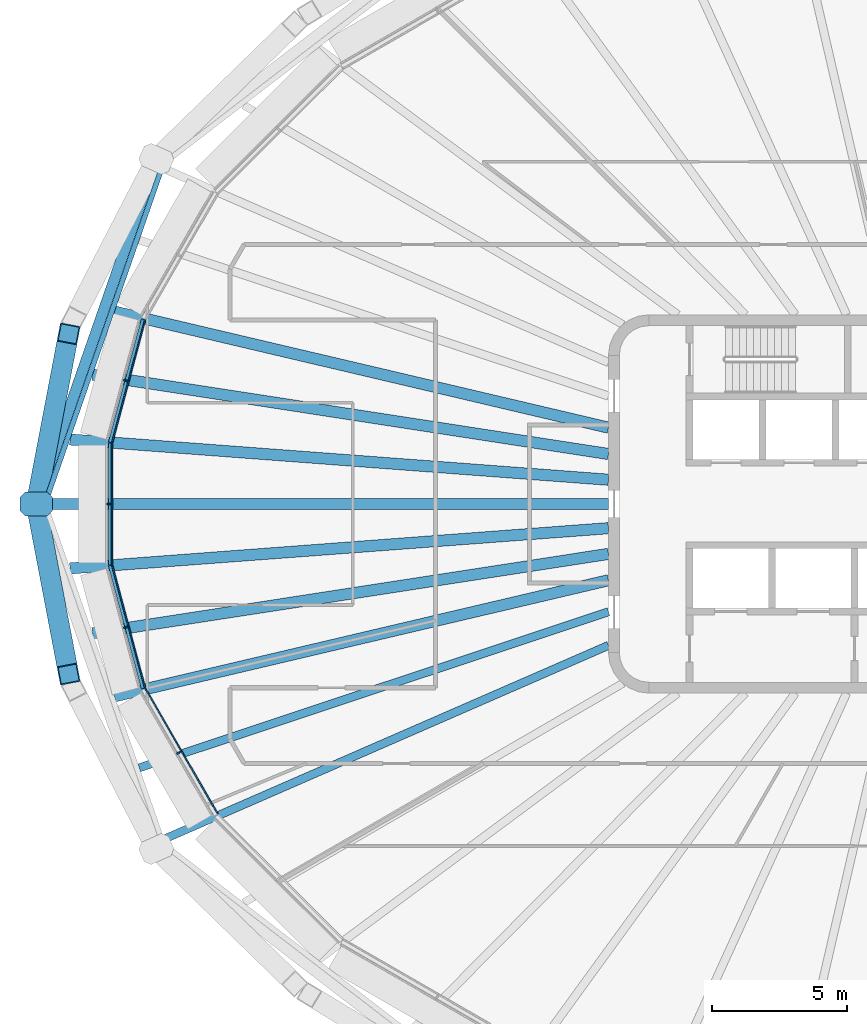
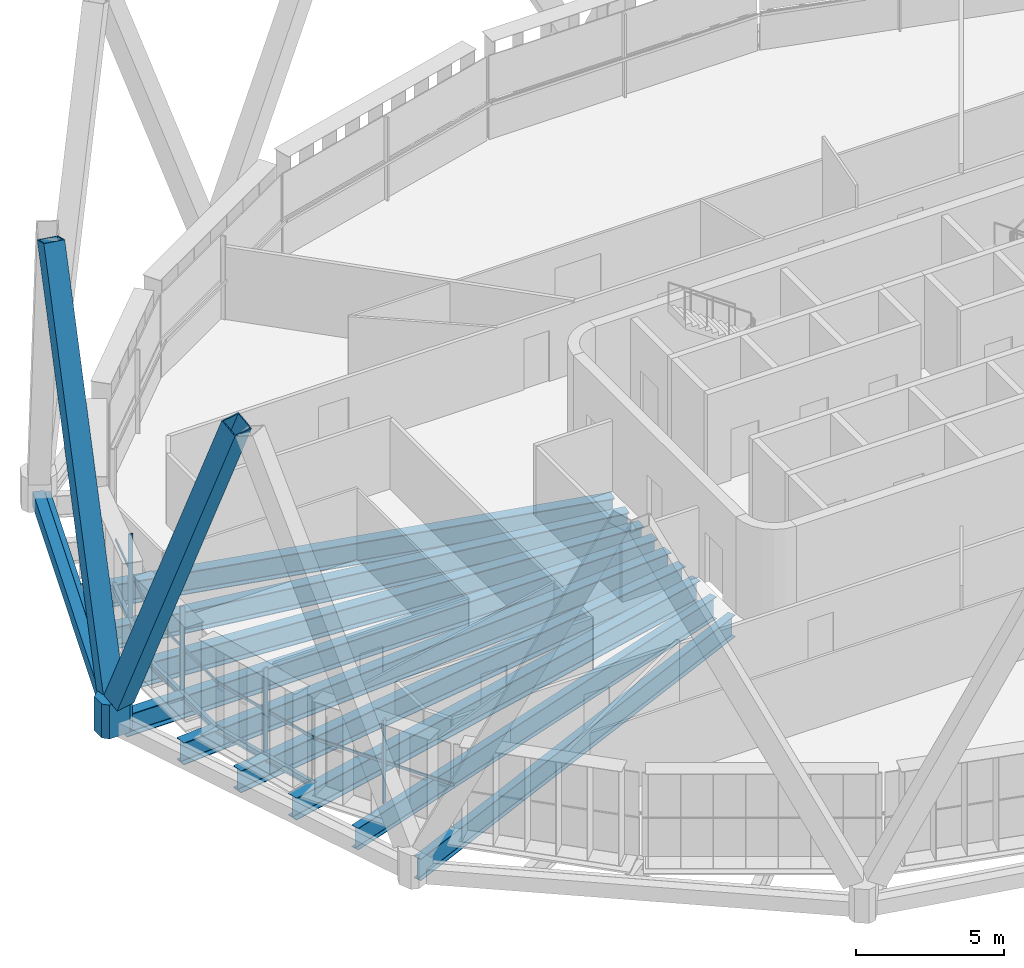
# One storey, part 3 of 23: 14 beams, 11 members, 4 elements without a shape of their own.
"""IFC4 building model written with IfcOpenShell, lengths in metres."""

from ifc_helpers import new_model, si_unit, direction, frame, origin, origin_2d, place, context, subcontext, project, spatial, polyline, rectangle, hollow_rectangle, i_section, outline, extrude, material, layer, layer_set, material_profile, profile_set, type_object, element, aggregate, save


model = new_model("IFC4")

# Units and contexts
model_context = context("Model", 3, precision=1e-05, world=origin(), true_north=direction((0.0, 1.0)))
body_context = subcontext(model_context, "Body", "Model", "MODEL_VIEW")
ifc_project = project(units=[si_unit("LENGTHUNIT", "METRE"), si_unit("AREAUNIT", "SQUARE_METRE"), si_unit("VOLUMEUNIT", "CUBIC_METRE"), si_unit("PLANEANGLEUNIT", "RADIAN"), si_unit("MASSUNIT", "GRAM", prefix="KILO")], contexts=[model_context])

# Site, building, storey
site_placement = place(None, origin())
site = spatial("IfcSite", under=ifc_project, at=site_placement, CompositionType="ELEMENT")
building_placement = place(site_placement, origin())
building = spatial("IfcBuilding", under=site, at=building_placement, Name="Sahrelin Media Tower", CompositionType="ELEMENT")
storey_placement = place(building_placement, frame((0.0, 0.0, 217.60009765625)))
storey = spatial("IfcBuildingStorey", under=building, at=storey_placement, Name="L46", CompositionType="ELEMENT", Elevation=217.60009765625)

# Members
ifc_material_1 = material(Name="Steel S460", Category="steel")
ifc_material_profile_1 = material_profile(ifc_material_1, hollow_rectangle(XDim=0.75, YDim=0.75, WallThickness=0.0400390625, at=origin_2d()), Name="Diagrid diagonal DG6")
ifc_profile_set_1 = profile_set([ifc_material_profile_1], Name="Steel S460")
member_type_1 = type_object("IfcMemberType", Name="Diagrid diagonal DG6", PredefinedType="BRACE", material=ifc_profile_set_1)
for number, where, z_axis, x_axis, name in (
    (1, (-33.116943359375, 0.2880859375, 0.699951171875), (0.072276655698, 0.379491002306, 0.922367965733), (-0.982342060878, 0.187093761066, 0.0), "Diagrid diagonal D10-11"),
    (2, (-33.116943359375, -0.2880859375, 0.699951171875), (0.072276655698, -0.379491002306, 0.922367965733), (0.982342060878, 0.187093761066, 0.0), "Diagrid diagonal D10-12"),
):
    element("IfcMember", number, at=place(storey_placement, frame(where, z_axis=z_axis, x_axis=x_axis)), inside=storey, type_object=member_type_1, Name=name, PredefinedType="BRACE", context=body_context, shape_type="SweptSolid", body=[
        extrude(hollow_rectangle(XDim=0.75, YDim=0.75, WallThickness=0.0400390625, at=origin_2d()), origin(), (0.0, 0.0, 1.0), 15.82861328125),
    ])
ifc_material_profile_2 = material_profile(ifc_material_1, outline(polyline([(0.39990234375, -0.449951171875), (0.60009765625, -0.25), (0.60009765625, 0.25), (0.39990234375, 0.449951171875), (-0.39990234375, 0.449951171875), (-0.60009765625, 0.25), (-0.60009765625, -0.25), (-0.39990234375, -0.449951171875), (0.39990234375, -0.449951171875)])), Name="Diagrid node block 1200")
ifc_profile_set_2 = profile_set([ifc_material_profile_2], Name="Steel S460")
member_type_2 = type_object("IfcMemberType", Name="Diagrid node block 1200", PredefinedType="USERDEFINED", material=ifc_profile_set_2)
member_1_placement = place(storey_placement, frame((-33.171875, 0.0, -0.7001953125), z_axis=(0.0, 0.0, 1.0), x_axis=(-1.0, 0.0, 0.0)))
element("IfcMember", 3, at=member_1_placement, inside=storey, type_object=member_type_2, Name="Diagrid node N10-06", ObjectType="NODE", PredefinedType="USERDEFINED", context=body_context, shape_type="SweptSolid", body=[
    extrude(outline(polyline([(0.39990234375, -0.449951171875), (0.60009765625, -0.25), (0.60009765625, 0.25), (0.39990234375, 0.449951171875), (-0.39990234375, 0.449951171875), (-0.60009765625, 0.25), (-0.60009765625, -0.25), (-0.39990234375, -0.449951171875), (0.39990234375, -0.449951171875)])), origin(), (0.0, 0.0, 1.0), 1.400146484375),
])

# Beams
ifc_material_profile_3 = material_profile(ifc_material_1, hollow_rectangle(XDim=0.39990234375, YDim=0.60009765625, WallThickness=0.030029296875, at=origin_2d()), Name="Diagrid ring beam RB1")
ifc_profile_set_3 = profile_set([ifc_material_profile_3], Name="Steel S460")
beam_type_1 = type_object("IfcBeamType", Name="Diagrid ring beam RB1", PredefinedType="BEAM", material=ifc_profile_set_3)
beam_1_placement = place(storey_placement, frame((-28.7275390625, 12.76611328125, -0.4501953125), z_axis=(-0.32878120153, -0.944406121073, 0.0), x_axis=(0.944406121073, -0.32878120153, 0.0)))
element("IfcBeam", 4, at=beam_1_placement, inside=storey, type_object=beam_type_1, Name="Diagrid ring beam RB10-05", PredefinedType="BEAM", context=body_context, shape_type="SweptSolid", body=[
    extrude(hollow_rectangle(XDim=0.39990234375, YDim=0.60009765625, WallThickness=0.030029296875, at=origin_2d()), origin(), (0.0, 0.0, 1.0), 13.517578125),
])
ifc_material_2 = material(Name="Steel S355", Category="steel")
ifc_material_profile_4 = material_profile(ifc_material_2, i_section(OverallWidth=0.14599609375, OverallDepth=0.25146484375, WebThickness=0.006103515625, FlangeThickness=0.008544921875, FilletRadius=0.007568359375, at=origin_2d()), Name="UB 254x146x31")
ifc_profile_set_4 = profile_set([ifc_material_profile_4], Name="Steel S355")
beam_type_2 = type_object("IfcBeamType", Name="Edge beam EB1", PredefinedType="BEAM", material=ifc_profile_set_4)
beam_2_placement = place(storey_placement, frame((-29.209716796875, -6.829345703125, -0.27587890625), z_axis=(-0.258781853535, 0.965935790972, 0.0), x_axis=(-0.965935790972, -0.258781853535, 0.0)))
element("IfcBeam", 5, at=beam_2_placement, inside=storey, type_object=beam_type_2, Name="Edge beam L46-12", PredefinedType="BEAM", context=body_context, shape_type="SweptSolid", body=[
    extrude(i_section(OverallWidth=0.14599609375, OverallDepth=0.25146484375, WebThickness=0.006103515625, FlangeThickness=0.008544921875, FilletRadius=0.007568359375, at=origin_2d()), origin(), (0.0, 0.0, 1.0), 4.71044921875),
])
beam_3_placement = place(storey_placement, frame((-30.4326171875, -2.25048828125, -0.27587890625), z_axis=(0.0, 1.0, 0.0), x_axis=(-1.0, 0.0, 0.0)))
element("IfcBeam", 6, at=beam_3_placement, inside=storey, type_object=beam_type_2, Name="Edge beam L46-13", PredefinedType="BEAM", context=body_context, shape_type="SweptSolid", body=[
    extrude(i_section(OverallWidth=0.14599609375, OverallDepth=0.25146484375, WebThickness=0.006103515625, FlangeThickness=0.008544921875, FilletRadius=0.007568359375, at=origin_2d()), origin(), (0.0, 0.0, 1.0), 4.5009765625),
])
beam_4_placement = place(storey_placement, frame((-30.4287109375, 2.279296875, -0.27587890625), z_axis=(0.258781853535, 0.965935790972, 0.0), x_axis=(-0.965935790972, 0.258781853535, 0.0)))
element("IfcBeam", 7, at=beam_4_placement, inside=storey, type_object=beam_type_2, Name="Edge beam L46-14", PredefinedType="BEAM", context=body_context, shape_type="SweptSolid", body=[
    extrude(i_section(OverallWidth=0.14599609375, OverallDepth=0.25146484375, WebThickness=0.006103515625, FlangeThickness=0.008544921875, FilletRadius=0.007568359375, at=origin_2d()), origin(), (0.0, 0.0, 1.0), 4.71044921875),
])

# Curtain wall, member
ifc_material_3 = material(Name="Champagne anodised aluminium 6063-T6", Category="aluminium")
ifc_layer = layer(ifc_material_3, 0.14990234375)
ifc_layer_set = layer_set([ifc_layer], Name="Tower ribbon curtain wall")
curtain_wall_type = type_object("IfcCurtainWallType", Name="Tower ribbon curtain wall", PredefinedType="NOTDEFINED", material=ifc_layer_set)
curtain_wall_1_placement = place(storey_placement, frame((-29.964111328125, 4.593017578125, 0.0), z_axis=(0.0, 0.0, 1.0), x_axis=(1.0, 0.0, 0.0)))
curtain_wall_1 = element("IfcCurtainWall", 8, at=curtain_wall_1_placement, inside=storey, type_object=curtain_wall_type, Name="L46:CW:L46-11", PredefinedType="NOTDEFINED")
ifc_material_profile_5 = material_profile(ifc_material_3, rectangle(XDim=0.06005859375, YDim=0.175048828125, at=origin_2d()), Name="Mullion 60x175")
ifc_profile_set_5 = profile_set([ifc_material_profile_5], Name="Champagne anodised aluminium 6063-T6")
member_type_3 = type_object("IfcMemberType", Name="Mullion 60x175 CW1B", PredefinedType="MULLION", material=ifc_profile_set_5)
member_2_placement = place(storey_placement, frame((-29.8603515625, 4.565185546875, 0.0), z_axis=(0.0, 0.0, 1.0), x_axis=(-0.258812301662, -0.965927633163, 0.0)))
member_2 = element("IfcMember", 9, at=member_2_placement, type_object=member_type_3, Name="L46:CWM:L46-11", PredefinedType="MULLION", context=body_context, shape_type="SweptSolid", body=[
    extrude(rectangle(XDim=0.06005859375, YDim=0.175048828125, at=origin_2d()), origin(), (0.0, 0.0, 1.0), 3.448486328125),
])

curtain_wall_2_placement = place(storey_placement, frame((-30.58251953125, 0.0, 0.0), z_axis=(0.0, 0.0, 1.0), x_axis=(1.0, 0.0, 0.0)))
curtain_wall_2 = element("IfcCurtainWall", 10, at=curtain_wall_2_placement, inside=storey, type_object=curtain_wall_type, Name="L46:CW:L46-12", PredefinedType="NOTDEFINED")
member_3_placement = place(storey_placement, frame((-30.47509765625, 0.0, 0.0), z_axis=(0.0, 0.0, 1.0), x_axis=(0.0, -1.0, 0.0)))
member_3 = element("IfcMember", 11, at=member_3_placement, type_object=member_type_3, Name="L46:CWM:L46-12", PredefinedType="MULLION", context=body_context, shape_type="SweptSolid", body=[
    extrude(rectangle(XDim=0.06005859375, YDim=0.175048828125, at=origin_2d()), origin(), (0.0, 0.0, 1.0), 3.448486328125),
])

curtain_wall_3_placement = place(storey_placement, frame((-29.964111328125, -4.593017578125, 0.0), z_axis=(0.0, 0.0, 1.0), x_axis=(1.0, 0.0, 0.0)))
curtain_wall_3 = element("IfcCurtainWall", 12, at=curtain_wall_3_placement, inside=storey, type_object=curtain_wall_type, Name="L46:CW:L46-13", PredefinedType="NOTDEFINED")
member_4_placement = place(storey_placement, frame((-29.8603515625, -4.565185546875, 0.0), z_axis=(0.0, 0.0, 1.0), x_axis=(0.258812301662, -0.965927633163, 0.0)))
member_4 = element("IfcMember", 13, at=member_4_placement, type_object=member_type_3, Name="L46:CWM:L46-13", PredefinedType="MULLION", context=body_context, shape_type="SweptSolid", body=[
    extrude(rectangle(XDim=0.06005859375, YDim=0.175048828125, at=origin_2d()), origin(), (0.0, 0.0, 1.0), 3.448486328125),
])

curtain_wall_4_placement = place(storey_placement, frame((-27.986083984375, -9.255859375, 0.0), z_axis=(0.0, 0.0, 1.0), x_axis=(1.0, 0.0, 0.0)))
curtain_wall_4 = element("IfcCurtainWall", 14, at=curtain_wall_4_placement, inside=storey, type_object=curtain_wall_type, Name="L46:CW:L46-14", PredefinedType="NOTDEFINED")
member_5_placement = place(storey_placement, frame((-27.89306640625, -9.2021484375, 0.0), z_axis=(0.0, 0.0, 1.0), x_axis=(0.499995465495, -0.866028021766, 0.0)))
member_5 = element("IfcMember", 15, at=member_5_placement, type_object=member_type_3, Name="L46:CWM:L46-14", PredefinedType="MULLION", context=body_context, shape_type="SweptSolid", body=[
    extrude(rectangle(XDim=0.06005859375, YDim=0.175048828125, at=origin_2d()), origin(), (0.0, 0.0, 1.0), 3.448486328125),
])

# Beams
ifc_material_profile_6 = material_profile(ifc_material_2, i_section(OverallWidth=0.30322265625, OverallDepth=0.903076171875, WebThickness=0.01513671875, FlangeThickness=0.020263671875, FilletRadius=0.01904296875, at=origin_2d()), Name="UB 914x305x201")
ifc_profile_set_6 = profile_set([ifc_material_profile_6], Name="Steel S355")
beam_type_3 = type_object("IfcBeamType", Name="Radial primary beam PB11", PredefinedType="BEAM", material=ifc_profile_set_6)
beam_5_placement = place(storey_placement, frame((-12.0, -5.232666015625, -0.6015625), z_axis=(-0.916640711355, -0.39971215429, 0.0), x_axis=(0.39971215429, -0.916640711355, 0.0)))
element("IfcBeam", 16, at=beam_5_placement, inside=storey, type_object=beam_type_3, Name="Radial beam L46-15", PredefinedType="BEAM", context=body_context, shape_type="SweptSolid", body=[
    extrude(i_section(OverallWidth=0.30322265625, OverallDepth=0.903076171875, WebThickness=0.01513671875, FlangeThickness=0.020263671875, FilletRadius=0.01904296875, at=origin_2d()), origin(), (0.0, 0.0, 1.0), 17.930908203125),
])
ifc_material_profile_7 = material_profile(ifc_material_2, i_section(OverallWidth=0.41845703125, OverallDepth=0.911865234375, WebThickness=0.019287109375, FlangeThickness=0.031982421875, FilletRadius=0.024169921875, at=origin_2d()), Name="UB 914x419x343")
ifc_profile_set_7 = profile_set([ifc_material_profile_7], Name="Steel S355")
beam_type_4 = type_object("IfcBeamType", Name="Radial primary beam PB12", PredefinedType="BEAM", material=ifc_profile_set_7)
beam_6_placement = place(storey_placement, frame((-12.0, 2.822021484375, -0.60595703125), z_axis=(-0.97344462055, 0.228922630429, 0.0), x_axis=(-0.228922630429, -0.97344462055, 0.0)))
element("IfcBeam", 17, at=beam_6_placement, inside=storey, type_object=beam_type_4, Name="Radial beam L46-11", PredefinedType="BEAM", context=body_context, shape_type="SweptSolid", body=[
    extrude(i_section(OverallWidth=0.41845703125, OverallDepth=0.911865234375, WebThickness=0.019287109375, FlangeThickness=0.031982421875, FilletRadius=0.024169921875, at=origin_2d()), origin(), (0.0, 0.0, 1.0), 18.773193359375),
])
for number, where, z_axis, x_axis, name in (
    (18, (-12.0, 0.896484375, -0.60595703125), (-0.997220505113, 0.07450680628, 0.0), (-0.07450680628, -0.997220505113, 0.0), "Radial beam L46-12"),
    (19, (-12.0, -0.896484375, -0.60595703125), (-0.997220505113, -0.07450680628, 0.0), (0.07450680628, -0.997220505113, 0.0), "Radial beam L46-13"),
):
    element("IfcBeam", number, at=place(storey_placement, frame(where, z_axis=z_axis, x_axis=x_axis)), inside=storey, type_object=beam_type_4, Name=name, PredefinedType="BEAM", context=body_context, shape_type="SweptSolid", body=[
        extrude(i_section(OverallWidth=0.41845703125, OverallDepth=0.911865234375, WebThickness=0.019287109375, FlangeThickness=0.031982421875, FilletRadius=0.024169921875, at=origin_2d()), origin(), (0.0, 0.0, 1.0), 19.978271484375),
    ])
beam_7_placement = place(storey_placement, frame((-12.0, -2.822021484375, -0.60595703125), z_axis=(-0.97344462055, -0.228922630429, 0.0), x_axis=(0.228922630429, -0.97344462055, 0.0)))
element("IfcBeam", 20, at=beam_7_placement, inside=storey, type_object=beam_type_4, Name="Radial beam L46-14", PredefinedType="BEAM", context=body_context, shape_type="SweptSolid", body=[
    extrude(i_section(OverallWidth=0.41845703125, OverallDepth=0.911865234375, WebThickness=0.019287109375, FlangeThickness=0.031982421875, FilletRadius=0.024169921875, at=origin_2d()), origin(), (0.0, 0.0, 1.0), 18.773193359375),
])
ifc_material_profile_8 = material_profile(ifc_material_2, i_section(OverallWidth=0.30322265625, OverallDepth=0.903076171875, WebThickness=0.01513671875, FlangeThickness=0.020263671875, FilletRadius=0.01904296875, at=origin_2d()), Name="UB 914x305x201")
ifc_profile_set_8 = profile_set([ifc_material_profile_8], Name="Steel S355")
beam_type_5 = type_object("IfcBeamType", Name="Radial secondary beam SB11", PredefinedType="BEAM", material=ifc_profile_set_8)
beam_8_placement = place(storey_placement, frame((-12.0, -3.9912109375, -0.6015625), z_axis=(-0.948893999839, -0.315594957293, 0.0), x_axis=(0.315594957293, -0.948893999839, 0.0)))
element("IfcBeam", 21, at=beam_8_placement, inside=storey, type_object=beam_type_5, Name="Secondary beam L46-14", PredefinedType="BEAM", context=body_context, shape_type="SweptSolid", body=[
    extrude(i_section(OverallWidth=0.30322265625, OverallDepth=0.903076171875, WebThickness=0.01513671875, FlangeThickness=0.020263671875, FilletRadius=0.01904296875, at=origin_2d()), origin(), (0.0, 0.0, 1.0), 18.2890625),
])
ifc_material_profile_9 = material_profile(ifc_material_2, i_section(OverallWidth=0.41845703125, OverallDepth=0.911865234375, WebThickness=0.019287109375, FlangeThickness=0.031982421875, FilletRadius=0.024169921875, at=origin_2d()), Name="UB 914x419x343")
ifc_profile_set_9 = profile_set([ifc_material_profile_9], Name="Steel S355")
beam_type_6 = type_object("IfcBeamType", Name="Radial secondary beam SB12", PredefinedType="BEAM", material=ifc_profile_set_9)
beam_9_placement = place(storey_placement, frame((-12.0, 1.84765625, -0.60595703125), z_axis=(-0.988352105304, 0.152184479965, 0.0), x_axis=(-0.152184479965, -0.988352105304, 0.0)))
element("IfcBeam", 22, at=beam_9_placement, inside=storey, type_object=beam_type_6, Name="Secondary beam L46-11", PredefinedType="BEAM", context=body_context, shape_type="SweptSolid", body=[
    extrude(i_section(OverallWidth=0.41845703125, OverallDepth=0.911865234375, WebThickness=0.019287109375, FlangeThickness=0.031982421875, FilletRadius=0.024169921875, at=origin_2d()), origin(), (0.0, 0.0, 1.0), 19.311767578125),
])
beam_10_placement = place(storey_placement, frame((-12.0, 0.0, -0.60595703125), z_axis=(-1.0, 0.0, 0.0), x_axis=(0.0, -1.0, 0.0)))
element("IfcBeam", 23, at=beam_10_placement, inside=storey, type_object=beam_type_6, Name="Secondary beam L46-12", PredefinedType="BEAM", context=body_context, shape_type="SweptSolid", body=[
    extrude(i_section(OverallWidth=0.41845703125, OverallDepth=0.911865234375, WebThickness=0.019287109375, FlangeThickness=0.031982421875, FilletRadius=0.024169921875, at=origin_2d()), origin(), (0.0, 0.0, 1.0), 20.753173828125),
])
beam_11_placement = place(storey_placement, frame((-12.0, -1.84765625, -0.60595703125), z_axis=(-0.988352105304, -0.152184479965, 0.0), x_axis=(0.152184479965, -0.988352105304, 0.0)))
element("IfcBeam", 24, at=beam_11_placement, inside=storey, type_object=beam_type_6, Name="Secondary beam L46-13", PredefinedType="BEAM", context=body_context, shape_type="SweptSolid", body=[
    extrude(i_section(OverallWidth=0.41845703125, OverallDepth=0.911865234375, WebThickness=0.019287109375, FlangeThickness=0.031982421875, FilletRadius=0.024169921875, at=origin_2d()), origin(), (0.0, 0.0, 1.0), 19.311767578125),
])
ifc_material_profile_10 = material_profile(ifc_material_2, i_section(OverallWidth=0.1904296875, OverallDepth=0.45703125, WebThickness=0.009033203125, FlangeThickness=0.014404296875, FilletRadius=0.01025390625, at=origin_2d()), Name="UB 457x191x74")
ifc_profile_set_10 = profile_set([ifc_material_profile_10], Name="Steel S355")
beam_type_7 = type_object("IfcBeamType", Name="Tie chord TC5", PredefinedType="BEAM", material=ifc_profile_set_10)
beam_12_placement = place(storey_placement, frame((-32.85400390625, 0.0, -0.378662109375), z_axis=(0.328788550839, 0.944403562486, 0.0), x_axis=(-0.944403562486, 0.328788550839, 0.0)))
element("IfcBeam", 25, at=beam_12_placement, inside=storey, type_object=beam_type_7, Name="Tie chord L46-07", PredefinedType="BEAM", context=body_context, shape_type="SweptSolid", body=[
    extrude(i_section(OverallWidth=0.1904296875, OverallDepth=0.45703125, WebThickness=0.009033203125, FlangeThickness=0.014404296875, FilletRadius=0.01025390625, at=origin_2d()), origin(), (0.0, 0.0, 1.0), 13.323486328125),
])

# Member
ifc_material_profile_11 = material_profile(ifc_material_3, rectangle(XDim=0.050048828125, YDim=0.110107421875, at=origin_2d()), Name="Transom 50x110")
ifc_profile_set_11 = profile_set([ifc_material_profile_11], Name="Champagne anodised aluminium 6063-T6")
member_type_4 = type_object("IfcMemberType", Name="Transom 50x110 CW1B", PredefinedType="USERDEFINED", material=ifc_profile_set_11)
member_6_placement = place(storey_placement, frame((-29.14599609375, 6.7958984375, 1.599853515625), z_axis=(-0.258854317892, -0.965916374283, 0.0), x_axis=(0.965916374283, -0.258854317892, 0.0)))
member_6 = element("IfcMember", 26, at=member_6_placement, type_object=member_type_4, Name="L46:CWT:L46-11", ObjectType="TRANSOM", PredefinedType="USERDEFINED", context=body_context, shape_type="SweptSolid", body=[
    extrude(rectangle(XDim=0.050048828125, YDim=0.110107421875, at=origin_2d()), origin(), (0.0, 0.0, 1.0), 4.678955078125),
])

aggregate(curtain_wall_1, [member_2, member_6])

member_7_placement = place(storey_placement, frame((-30.362548828125, 2.23486328125, 1.599853515625), z_axis=(0.0, -1.0, 0.0), x_axis=(1.0, 0.0, 0.0)))
member_7 = element("IfcMember", 27, at=member_7_placement, type_object=member_type_4, Name="L46:CWT:L46-12", ObjectType="TRANSOM", PredefinedType="USERDEFINED", context=body_context, shape_type="SweptSolid", body=[
    extrude(rectangle(XDim=0.050048828125, YDim=0.110107421875, at=origin_2d()), origin(), (0.0, 0.0, 1.0), 4.4697265625),
])

aggregate(curtain_wall_2, [member_3, member_7])

member_8_placement = place(storey_placement, frame((-30.357177734375, -2.2763671875, 1.599853515625), z_axis=(0.258854317892, -0.965916374283, 0.0), x_axis=(0.965916374283, 0.258854317892, 0.0)))
member_8 = element("IfcMember", 28, at=member_8_placement, type_object=member_type_4, Name="L46:CWT:L46-13", ObjectType="TRANSOM", PredefinedType="USERDEFINED", context=body_context, shape_type="SweptSolid", body=[
    extrude(rectangle(XDim=0.050048828125, YDim=0.110107421875, at=origin_2d()), origin(), (0.0, 0.0, 1.0), 4.678955078125),
])

aggregate(curtain_wall_3, [member_4, member_8])

member_9_placement = place(storey_placement, frame((-29.130126953125, -6.83447265625, 1.599853515625), z_axis=(0.499975827765, -0.866039359181, 0.0), x_axis=(0.866039359181, 0.499975827765, 0.0)))
member_9 = element("IfcMember", 29, at=member_9_placement, type_object=member_type_4, Name="L46:CWT:L46-14", ObjectType="TRANSOM", PredefinedType="USERDEFINED", context=body_context, shape_type="SweptSolid", body=[
    extrude(rectangle(XDim=0.050048828125, YDim=0.110107421875, at=origin_2d()), origin(), (0.0, 0.0, 1.0), 5.338134765625),
])

aggregate(curtain_wall_4, [member_5, member_9])

save(model, "model.ifc")
